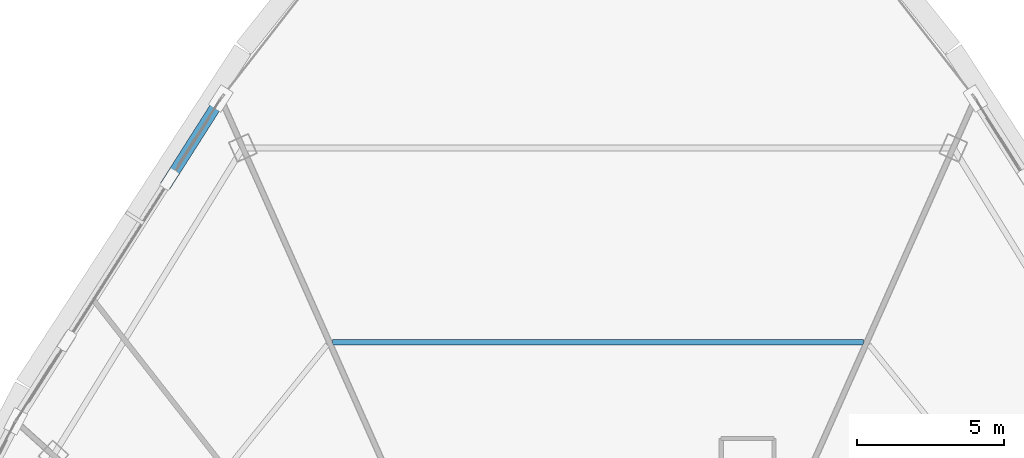
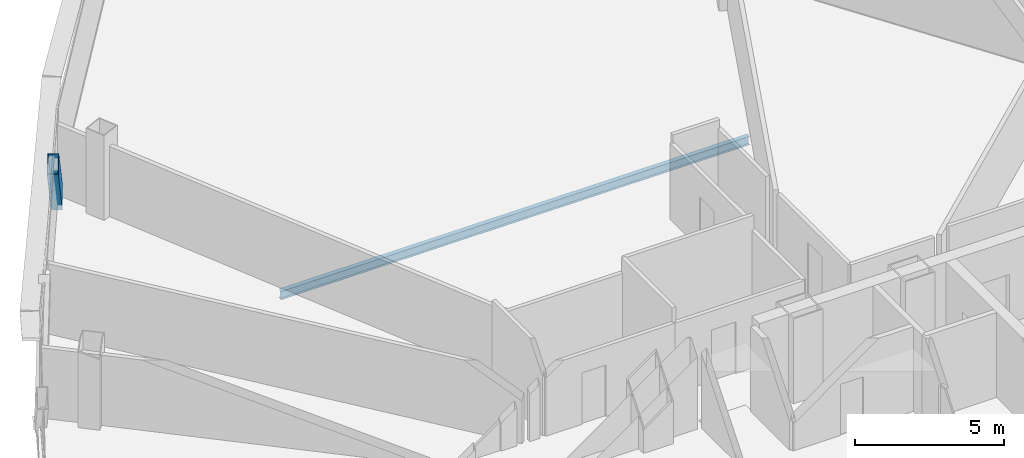
# One storey, part 20 of 35: 1 beam, 1 member.
"""IFC4 building model written with IfcOpenShell, lengths in metres."""

import ifcopenshell
import ifcopenshell.guid

model = None  # the IFC model being written
_history = None  # IfcOwnerHistory: only IFC2X3 demands one
_inside = {}  # id of a spatial element -> (the spatial element, [elements in it])
_under = {}  # id of a project, library or spatial element -> (it, [spatial elements below it])
_declared = {}  # id of a project -> (the project, [libraries it declares])
_typed = {}  # id of a type object -> (the type object, [elements of that type])
_made_of = {}  # id of a material, layer set ... -> (it, [elements and type objects made of it])


def new_model(schema):
    """Start an empty IFC model of exactly this schema.

    Asked for "IFC4X3", IfcOpenShell would pick the latest addendum, in which some entities
    have other attributes; the version numbers below select the first issue.
    IFC2X3 requires an IfcOwnerHistory on every rooted entity: one is made here for all.
    """
    global model, _history
    if schema == "IFC4X3":
        model = ifcopenshell.file(schema_version=(4, 3, 0, 0))
    else:
        model = ifcopenshell.file(schema=schema)
    _inside.clear()
    _under.clear()
    _declared.clear()
    _typed.clear()
    _made_of.clear()
    _history = None
    if model.schema == "IFC2X3":
        org = make("IfcOrganization", Name="unknown")
        user = make(
            "IfcPersonAndOrganization",
            ThePerson=make("IfcPerson", FamilyName="unknown"),
            TheOrganization=org,
        )
        app = make(
            "IfcApplication",
            ApplicationDeveloper=org,
            Version="unknown",
            ApplicationFullName="unknown",
            ApplicationIdentifier="unknown",
        )
        _history = make(
            "IfcOwnerHistory",
            OwningUser=user,
            OwningApplication=app,
            ChangeAction="ADDED",
            CreationDate=0,
        )
    return model


def make(cls, **values):
    """One entity of the class cls with the attributes given. An attribute that is None is left unset."""
    return model.create_entity(
        cls, **{name: value for name, value in values.items() if value is not None}
    )


def rooted(cls, **values):
    """An entity with a GlobalId (a new one), such as an element, a storey or a relation."""
    return make(cls, GlobalId=ifcopenshell.guid.new(), OwnerHistory=_history, **values)


def si_unit(unit_type, name, prefix=None):
    """IfcSIUnit, for example si_unit("LENGTHUNIT", "METRE", prefix="MILLI")."""
    return make("IfcSIUnit", UnitType=unit_type, Prefix=prefix, Name=name)


def assignment(units):
    """IfcUnitAssignment: the units of a project."""
    return None if units is None else make("IfcUnitAssignment", Units=units)


def point(xyz):
    """IfcCartesianPoint."""
    return None if xyz is None else make("IfcCartesianPoint", Coordinates=xyz)


def direction(xyz):
    """IfcDirection."""
    return None if xyz is None else make("IfcDirection", DirectionRatios=xyz)


def frame(location, z_axis=None, x_axis=None):
    """IfcAxis2Placement3D, a coordinate frame: its origin and axes. An axis left out is left unset."""
    return make(
        "IfcAxis2Placement3D",
        Location=point(location),
        Axis=direction(z_axis),
        RefDirection=direction(x_axis),
    )


def frame_2d(location, x_axis=None):
    """IfcAxis2Placement2D, a coordinate frame in the plane: its origin and x axis."""
    return make(
        "IfcAxis2Placement2D", Location=point(location), RefDirection=direction(x_axis)
    )


def origin():
    """The frame at (0, 0, 0) with its axes left unset."""
    return frame((0.0, 0.0, 0.0))


def origin_2d():
    """The frame at (0, 0) in the plane with its x axis left unset."""
    return frame_2d((0.0, 0.0))


def place(relative_to, where):
    """IfcLocalPlacement: puts the frame where relative to a parent placement (None: the world)."""
    return make(
        "IfcLocalPlacement", PlacementRelTo=relative_to, RelativePlacement=where
    )


def context(
    kind, dimensions, precision=None, world=None, true_north=None, identifier=None
):
    """IfcGeometricRepresentationContext, for example the 3D "Model" context."""
    return make(
        "IfcGeometricRepresentationContext",
        ContextIdentifier=identifier,
        ContextType=kind,
        CoordinateSpaceDimension=dimensions,
        Precision=precision,
        WorldCoordinateSystem=world,
        TrueNorth=true_north,
    )


def subcontext(parent, identifier, kind, view, scale=None):
    """IfcGeometricRepresentationSubContext, for example "Body" below "Model"."""
    return make(
        "IfcGeometricRepresentationSubContext",
        ContextIdentifier=identifier,
        ContextType=kind,
        ParentContext=parent,
        TargetScale=scale,
        TargetView=view,
    )


def project(units=None, contexts=None):
    """IfcProject with its units and contexts."""
    return rooted(
        "IfcProject",
        Name="project",
        RepresentationContexts=contexts,
        UnitsInContext=assignment(units),
    )


def spatial(cls, under=None, at=None, **own):
    """A site, building, storey or space (cls), placed at a placement, below another one or the project."""
    s = rooted(cls, ObjectPlacement=at, **own)
    if under is not None:
        _under.setdefault(under.id(), (under, []))[1].append(s)
    return s


def profile(cls, at=None, kind="AREA", **sizes):
    """A parametric profile (cls). Its sizes go by their IFC names, for example OverallWidth=200.0."""
    return make(cls, ProfileType=kind, Position=at, **sizes)


def hollow_rectangle(**sizes):
    """IfcRectangleHollowProfileDef."""
    return profile("IfcRectangleHollowProfileDef", **sizes)


def i_section(**sizes):
    """IfcIShapeProfileDef."""
    return profile("IfcIShapeProfileDef", **sizes)


def extrude(swept, where, along, depth):
    """IfcExtrudedAreaSolid: the profile swept, set in the frame where, extruded along a direction by depth."""
    return make(
        "IfcExtrudedAreaSolid",
        SweptArea=swept,
        Position=where,
        ExtrudedDirection=direction(along),
        Depth=depth,
    )


def shape(context_of_items, identifier, shape_type, items):
    """IfcShapeRepresentation: the items that make up one representation, for example the "Body"."""
    return make(
        "IfcShapeRepresentation",
        ContextOfItems=context_of_items,
        RepresentationIdentifier=identifier,
        RepresentationType=shape_type,
        Items=items,
    )


def source(mapping_origin, context_of_items, identifier, shape_type, items):
    """IfcRepresentationMap: a shape defined once, which mapped items show again and again."""
    return make(
        "IfcRepresentationMap",
        MappingOrigin=mapping_origin,
        MappedRepresentation=shape(context_of_items, identifier, shape_type, items),
    )


def transform(
    local_origin,
    x_axis=None,
    y_axis=None,
    z_axis=None,
    scale=None,
    scale2=None,
    scale3=None,
    uniform=True,
):
    """IfcCartesianTransformationOperator3D, or its non-uniform kind. x_axis, y_axis, z_axis: its Axis1, 2, 3."""
    if uniform:
        return make(
            "IfcCartesianTransformationOperator3D",
            Axis1=direction(x_axis),
            Axis2=direction(y_axis),
            LocalOrigin=point(local_origin),
            Scale=scale,
            Axis3=direction(z_axis),
        )
    return make(
        "IfcCartesianTransformationOperator3DnonUniform",
        Axis1=direction(x_axis),
        Axis2=direction(y_axis),
        LocalOrigin=point(local_origin),
        Scale=scale,
        Axis3=direction(z_axis),
        Scale2=scale2,
        Scale3=scale3,
    )


def mapped(mapping_source, mapping_target):
    """IfcMappedItem: shows the shape of a source again, moved by a transform."""
    return make(
        "IfcMappedItem", MappingSource=mapping_source, MappingTarget=mapping_target
    )


def material(Name=None, Category=None):
    """IfcMaterial."""
    return make("IfcMaterial", Name=Name, Category=Category)


def material_profile(
    of_material, cross_section, Name=None, Category=None, Priority=None
):
    """IfcMaterialProfile: a cross section and its material."""
    return make(
        "IfcMaterialProfile",
        Name=Name,
        Material=of_material,
        Profile=cross_section,
        Priority=Priority,
        Category=Category,
    )


def profile_set(profiles, Name=None, composite=None):
    """IfcMaterialProfileSet."""
    return make(
        "IfcMaterialProfileSet",
        Name=Name,
        MaterialProfiles=profiles,
        CompositeProfile=composite,
    )


def made_of(thing, what):
    """Note that an element or type object is made of a material, layer set ...; save() writes the relation."""
    if what is not None:
        _made_of.setdefault(what.id(), (what, []))[1].append(thing)
    return thing


def type_object(cls, material=None, **own):
    """A type object (cls), such as IfcWallType, which elements share."""
    return made_of(rooted(cls, **own), material)


def element(
    cls,
    number,
    at=None,
    inside=None,
    cuts=None,
    type_object=None,
    material=None,
    context=None,
    identifier="Body",
    shape_type=None,
    held_by="IfcProductDefinitionShape",
    body=None,
    shapes=None,
    **own,
):
    """One element of the class cls, such as IfcWall. Its Tag is "e" and its number.

    at: its placement. inside: the storey or other place that contains it. cuts: it is an
    opening in that element (IfcRelVoidsElement). A single representation is given by context,
    identifier, shape_type and body (its items); several are given by shapes. held_by: the class
    of the entity that holds the representations. save() writes the other relations.
    """
    e = rooted(cls, Tag="e%d" % number, ObjectPlacement=at, **own)
    if body is not None:
        shapes = [shape(context, identifier, shape_type, body)]
    if shapes is not None:
        e.Representation = make(held_by, Representations=shapes)
    if inside is not None:
        _inside.setdefault(inside.id(), (inside, []))[1].append(e)
    if cuts is not None:
        rooted(
            "IfcRelVoidsElement", RelatingBuildingElement=cuts, RelatedOpeningElement=e
        )
    if type_object is not None:
        _typed.setdefault(type_object.id(), (type_object, []))[1].append(e)
    return made_of(e, material)


def aggregate(whole, parts):
    """IfcRelAggregates: a whole, such as a stair, and the parts it consists of."""
    return rooted("IfcRelAggregates", RelatingObject=whole, RelatedObjects=parts)


def save(model, path):
    """Write the relations noted so far, then the file.

    IfcRelAggregates (storeys below a building ...), IfcRelContainedInSpatialStructure (elements
    in a storey), IfcRelDefinesByType, IfcRelAssociatesMaterial and IfcRelDeclares: one each for
    every whole, place, type object, material and project.
    """
    for whole, parts in _under.values():
        aggregate(whole, parts)
    for where, things in _inside.values():
        rooted(
            "IfcRelContainedInSpatialStructure",
            RelatedElements=things,
            RelatingStructure=where,
        )
    for kind, things in _typed.values():
        rooted("IfcRelDefinesByType", RelatedObjects=things, RelatingType=kind)
    for what, things in _made_of.values():
        rooted("IfcRelAssociatesMaterial", RelatedObjects=things, RelatingMaterial=what)
    for by, libraries in _declared.values():
        rooted("IfcRelDeclares", RelatingContext=by, RelatedDefinitions=libraries)
    model.write(path)


model = new_model("IFC4")

# Units and contexts
model_context = context("Model", 3, precision=1e-05, world=origin(), true_north=direction((0.0, 1.0)))
body_context = subcontext(model_context, "Body", "Model", "MODEL_VIEW")
ifc_project = project(units=[si_unit("LENGTHUNIT", "METRE"), si_unit("AREAUNIT", "SQUARE_METRE"), si_unit("VOLUMEUNIT", "CUBIC_METRE"), si_unit("PLANEANGLEUNIT", "RADIAN"), si_unit("MASSUNIT", "GRAM", prefix="KILO"), si_unit("THERMODYNAMICTEMPERATUREUNIT", "KELVIN"), si_unit("POWERUNIT", "WATT")], contexts=[model_context])

# Site, building, storey
site_placement = place(None, origin())
site = spatial("IfcSite", under=ifc_project, at=site_placement, CompositionType="ELEMENT")
building_placement = place(site_placement, origin())
building = spatial("IfcBuilding", under=site, at=building_placement, Name="Yunzhuo Pagoda Commons", CompositionType="ELEMENT")
storey_placement = place(building_placement, frame((0.0, 0.0, 303.669921875)))
storey = spatial("IfcBuildingStorey", under=building, at=storey_placement, Name="L76", CompositionType="ELEMENT", Elevation=303.669921875)

# Beam
ifc_material = material(Name="Structural steel Q355B", Category="steel")
ifc_material_profile_1 = material_profile(ifc_material, i_section(OverallWidth=0.175048828125, OverallDepth=0.35009765625, WebThickness=0.007080078125, FlangeThickness=0.010986328125, at=origin_2d()), Name="Structural steel Q355B")
ifc_profile_set_1 = profile_set([ifc_material_profile_1], Name="Structural steel Q355B")
beam_type = type_object("IfcBeamType", Name="B-JS2 Joist HN 350x175x7x11", PredefinedType="JOIST", material=ifc_profile_set_1)
shared_shape_1 = source(origin(), body_context, "Body", "SweptSolid", [
    extrude(i_section(OverallWidth=0.175048828125, OverallDepth=0.35009765625, WebThickness=0.007080078125, FlangeThickness=0.010986328125, at=origin_2d()), origin(), (0.0, 0.0, 1.0), 18.09765625),
])
beam_placement = place(storey_placement, frame((57.048828125, 54.2822265625, -0.434814453125), z_axis=(-1.0, 0.0, 0.0), x_axis=(0.0, -1.0, 0.0)))
element("IfcBeam", 1, at=beam_placement, inside=storey, type_object=beam_type, Name="L76 composite ring joist 2.8", PredefinedType="JOIST", context=body_context, shape_type="MappedRepresentation", body=[
    mapped(shared_shape_1, transform((0.0, 0.0, 0.0), scale=1.0)),
])

# Member
ifc_material_profile_2 = material_profile(ifc_material, hollow_rectangle(XDim=0.3798828125, YDim=0.719970703125, WallThickness=0.02001953125, at=origin_2d()), Name="Structural steel Q355B")
ifc_profile_set_2 = profile_set([ifc_material_profile_2], Name="Structural steel Q355B")
member_type = type_object("IfcMemberType", Name="M-DL3 Brace BOX 720x380x20", PredefinedType="BRACE", material=ifc_profile_set_2)
shared_shape_2 = source(origin(), body_context, "Body", "SweptSolid", [
    extrude(hollow_rectangle(XDim=0.3798828125, YDim=0.719970703125, WallThickness=0.02001953125, at=origin_2d()), origin(), (0.0, 0.0, 1.0), 4.95458984375),
])
member_placement = place(storey_placement, frame((35.135498046875, 62.593994140625, -0.260009765625), z_axis=(-0.353151166465, -0.555472736091, 0.752817569591), x_axis=(0.843889512446, -0.53651699953, 0.0)))
element("IfcMember", 2, at=member_placement, inside=storey, type_object=member_type, Name="L76 facade diamond brace F3.1L", PredefinedType="BRACE", context=body_context, shape_type="MappedRepresentation", body=[
    mapped(shared_shape_2, transform((0.0, 0.0, 0.0), scale=1.0)),
])

save(model, "model.ifc")
